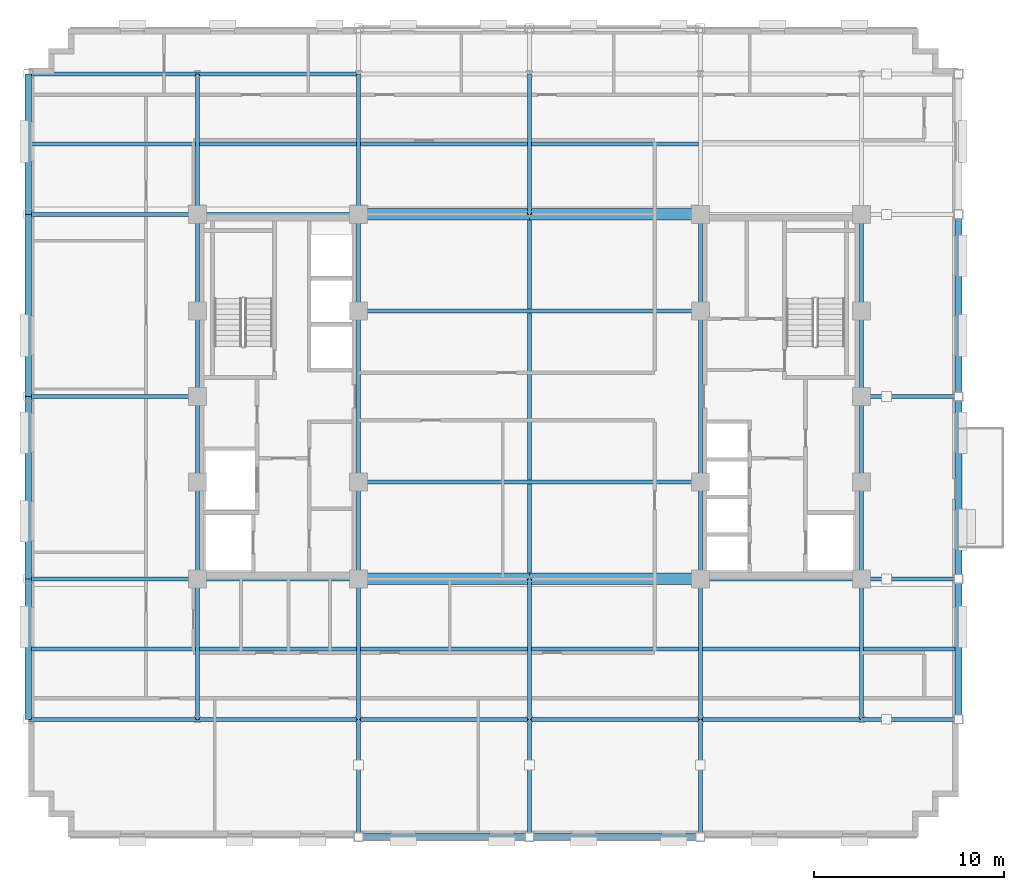
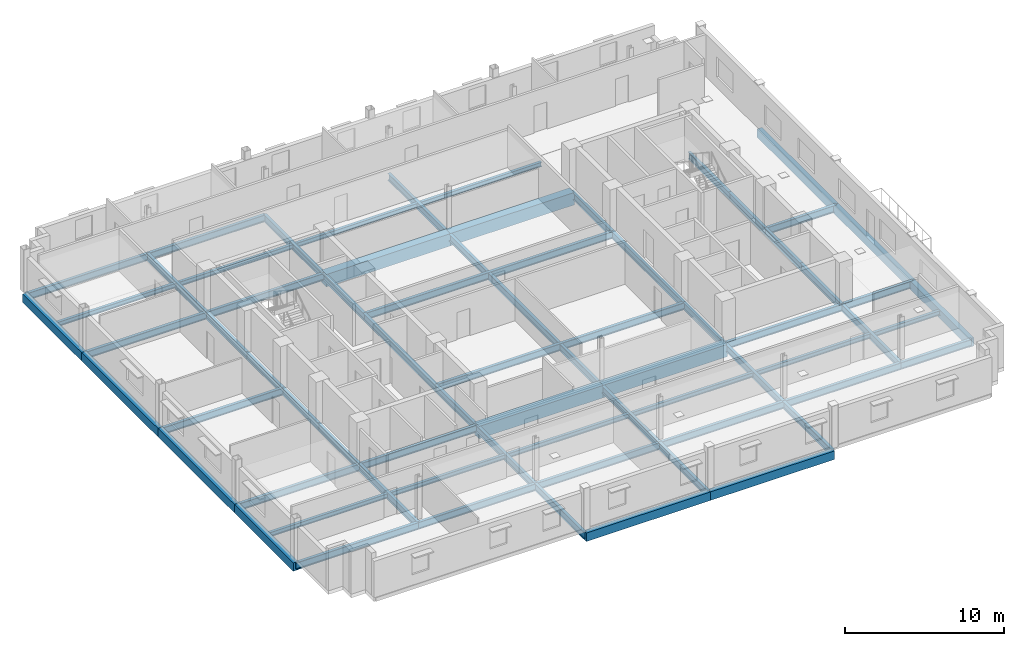
# One storey, part 5 of 15: 67 beams.
"""IFC4 building model written with IfcOpenShell, lengths in metres."""

from ifc_helpers import new_model, si_unit, direction, frame, origin, origin_2d, place, context, subcontext, project, spatial, rectangle, i_section, extrude, material, material_profile, profile_set, type_object, element, save


model = new_model("IFC4")

# Units and contexts
model_context = context("Model", 3, precision=1e-05, world=origin(), true_north=direction((0.0, 1.0)))
body_context = subcontext(model_context, "Body", "Model", "MODEL_VIEW")
ifc_project = project(units=[si_unit("LENGTHUNIT", "METRE"), si_unit("AREAUNIT", "SQUARE_METRE"), si_unit("VOLUMEUNIT", "CUBIC_METRE"), si_unit("PLANEANGLEUNIT", "RADIAN"), si_unit("MASSUNIT", "GRAM", prefix="KILO")], contexts=[model_context])

# Site, building, storey
site_placement = place(None, origin())
site = spatial("IfcSite", under=ifc_project, at=site_placement, CompositionType="ELEMENT")
building_placement = place(site_placement, origin())
building = spatial("IfcBuilding", under=site, at=building_placement, Name="Nuvemarco Arch Tower", CompositionType="ELEMENT")
storey_placement = place(building_placement, frame((0.0, 0.0, 205.5)))
storey = spatial("IfcBuildingStorey", under=building, at=storey_placement, Name="L54", CompositionType="ELEMENT", Elevation=205.5)

# Beams
ifc_material_1 = material(Name="Concrete C60/75", Category="concrete")
ifc_material_profile_1 = material_profile(ifc_material_1, rectangle(XDim=0.60009765625, YDim=0.949951171875, at=origin_2d()), Name="RC-BM-600x950")
ifc_profile_set_1 = profile_set([ifc_material_profile_1], Name="Concrete C60/75")
beam_type_1 = type_object("IfcBeamType", Name="BM-COUP-RC", PredefinedType="LINTEL", material=ifc_profile_set_1)
for number, where, z_axis, x_axis, name in (
    (1, (-9.0, -9.60009765625, -0.7548828125), (1.0, 0.0, 0.0), (0.0, 1.0, 0.0), "L54 structural beam BGEW_L54_0_-9.6_-9.0"),
    (2, (0.0, -9.60009765625, -0.7548828125), (1.0, 0.0, 0.0), (0.0, 1.0, 0.0), "L54 structural beam BGEW_L54_0_-9.6_+0.0"),
    (3, (-9.0, 9.60009765625, -0.7548828125), (1.0, 0.0, 0.0), (0.0, 1.0, 0.0), "L54 structural beam BGEW_L54_0_+9.6_-9.0"),
    (4, (0.0, 9.60009765625, -0.7548828125), (1.0, 0.0, 0.0), (0.0, 1.0, 0.0), "L54 structural beam BGEW_L54_0_+9.6_+0.0"),
):
    element("IfcBeam", number, at=place(storey_placement, frame(where, z_axis=z_axis, x_axis=x_axis)), inside=storey, type_object=beam_type_1, Name=name, PredefinedType="LINTEL", context=body_context, shape_type="SweptSolid", body=[
        extrude(rectangle(XDim=0.60009765625, YDim=0.949951171875, at=origin_2d()), origin(), (0.0, 0.0, 1.0), 9.0),
    ])
ifc_material_2 = material(Name="Steel S355", Category="steel")
ifc_material_profile_2 = material_profile(ifc_material_2, i_section(OverallWidth=0.2109375, OverallDepth=0.5390625, WebThickness=0.01171875, FlangeThickness=0.018798828125, FilletRadius=0.01611328125, at=origin_2d()), Name="W530x109")
ifc_profile_set_2 = profile_set([ifc_material_profile_2], Name="Steel S355")
beam_type_2 = type_object("IfcBeamType", Name="BM-GIRD-530", PredefinedType="BEAM", material=ifc_profile_set_2)
beam_1_placement = place(storey_placement, frame((-17.5, -17.0, -0.549560546875), z_axis=(0.0, 1.0, 0.0), x_axis=(-1.0, 0.0, 0.0)))
element("IfcBeam", 5, at=beam_1_placement, inside=storey, type_object=beam_type_2, Name="L54 structural beam BGNS_L54_0_-17.5_-17.0", PredefinedType="BEAM", context=body_context, shape_type="SweptSolid", body=[
    extrude(i_section(OverallWidth=0.2109375, OverallDepth=0.5390625, WebThickness=0.01171875, FlangeThickness=0.018798828125, FilletRadius=0.01611328125, at=origin_2d()), origin(), (0.0, 0.0, 1.0), 7.39990234375),
])
beam_2_placement = place(storey_placement, frame((-17.5, -9.60009765625, -0.549560546875), z_axis=(0.0, 1.0, 0.0), x_axis=(-1.0, 0.0, 0.0)))
element("IfcBeam", 6, at=beam_2_placement, inside=storey, type_object=beam_type_2, Name="L54 structural beam BGNS_L54_0_-17.5_-9.6", PredefinedType="BEAM", context=body_context, shape_type="SweptSolid", body=[
    extrude(i_section(OverallWidth=0.2109375, OverallDepth=0.5390625, WebThickness=0.01171875, FlangeThickness=0.018798828125, FilletRadius=0.01611328125, at=origin_2d()), origin(), (0.0, 0.0, 1.0), 5.10009765625),
])
for number, where, z_axis, x_axis, name in (
    (7, (-17.5, -4.5, -0.549560546875), (0.0, 1.0, 0.0), (-1.0, 0.0, 0.0), "L54 structural beam BGNS_L54_0_-17.5_-4.5"),
    (8, (-17.5, 0.0, -0.549560546875), (0.0, 1.0, 0.0), (-1.0, 0.0, 0.0), "L54 structural beam BGNS_L54_0_-17.5_+0.0"),
):
    element("IfcBeam", number, at=place(storey_placement, frame(where, z_axis=z_axis, x_axis=x_axis)), inside=storey, type_object=beam_type_2, Name=name, PredefinedType="BEAM", context=body_context, shape_type="SweptSolid", body=[
        extrude(i_section(OverallWidth=0.2109375, OverallDepth=0.5390625, WebThickness=0.01171875, FlangeThickness=0.018798828125, FilletRadius=0.01611328125, at=origin_2d()), origin(), (0.0, 0.0, 1.0), 4.5),
    ])
beam_3_placement = place(storey_placement, frame((-17.5, 4.5, -0.549560546875), z_axis=(0.0, 1.0, 0.0), x_axis=(-1.0, 0.0, 0.0)))
element("IfcBeam", 9, at=beam_3_placement, inside=storey, type_object=beam_type_2, Name="L54 structural beam BGNS_L54_0_-17.5_+4.5", PredefinedType="BEAM", context=body_context, shape_type="SweptSolid", body=[
    extrude(i_section(OverallWidth=0.2109375, OverallDepth=0.5390625, WebThickness=0.01171875, FlangeThickness=0.018798828125, FilletRadius=0.01611328125, at=origin_2d()), origin(), (0.0, 0.0, 1.0), 5.10009765625),
])
beam_4_placement = place(storey_placement, frame((-17.5, 9.60009765625, -0.549560546875), z_axis=(0.0, 1.0, 0.0), x_axis=(-1.0, 0.0, 0.0)))
element("IfcBeam", 10, at=beam_4_placement, inside=storey, type_object=beam_type_2, Name="L54 structural beam BGNS_L54_0_-17.5_+9.6", PredefinedType="BEAM", context=body_context, shape_type="SweptSolid", body=[
    extrude(i_section(OverallWidth=0.2109375, OverallDepth=0.5390625, WebThickness=0.01171875, FlangeThickness=0.018798828125, FilletRadius=0.01611328125, at=origin_2d()), origin(), (0.0, 0.0, 1.0), 7.39990234375),
])
beam_5_placement = place(storey_placement, frame((-9.0, -23.199951171875, -0.549560546875), z_axis=(0.0, 1.0, 0.0), x_axis=(-1.0, 0.0, 0.0)))
element("IfcBeam", 11, at=beam_5_placement, inside=storey, type_object=beam_type_2, Name="L54 structural beam BGNS_L54_0_-9.0_-23.2", PredefinedType="BEAM", context=body_context, shape_type="SweptSolid", body=[
    extrude(i_section(OverallWidth=0.2109375, OverallDepth=0.5390625, WebThickness=0.01171875, FlangeThickness=0.018798828125, FilletRadius=0.01611328125, at=origin_2d()), origin(), (0.0, 0.0, 1.0), 6.199951171875),
])
beam_6_placement = place(storey_placement, frame((-9.0, -17.0, -0.549560546875), z_axis=(0.0, 1.0, 0.0), x_axis=(-1.0, 0.0, 0.0)))
element("IfcBeam", 12, at=beam_6_placement, inside=storey, type_object=beam_type_2, Name="L54 structural beam BGNS_L54_0_-9.0_-17.0", PredefinedType="BEAM", context=body_context, shape_type="SweptSolid", body=[
    extrude(i_section(OverallWidth=0.2109375, OverallDepth=0.5390625, WebThickness=0.01171875, FlangeThickness=0.018798828125, FilletRadius=0.01611328125, at=origin_2d()), origin(), (0.0, 0.0, 1.0), 7.39990234375),
])
beam_7_placement = place(storey_placement, frame((-9.0, -9.60009765625, -0.549560546875), z_axis=(0.0, 1.0, 0.0), x_axis=(-1.0, 0.0, 0.0)))
element("IfcBeam", 13, at=beam_7_placement, inside=storey, type_object=beam_type_2, Name="L54 structural beam BGNS_L54_0_-9.0_-9.6", PredefinedType="BEAM", context=body_context, shape_type="SweptSolid", body=[
    extrude(i_section(OverallWidth=0.2109375, OverallDepth=0.5390625, WebThickness=0.01171875, FlangeThickness=0.018798828125, FilletRadius=0.01611328125, at=origin_2d()), origin(), (0.0, 0.0, 1.0), 5.10009765625),
])
beam_8_placement = place(storey_placement, frame((-9.0, -4.5, -0.549560546875), z_axis=(0.0, 1.0, 0.0), x_axis=(-1.0, 0.0, 0.0)))
element("IfcBeam", 14, at=beam_8_placement, inside=storey, type_object=beam_type_2, Name="L54 structural beam BGNS_L54_0_-9.0_-4.5", PredefinedType="BEAM", context=body_context, shape_type="SweptSolid", body=[
    extrude(i_section(OverallWidth=0.2109375, OverallDepth=0.5390625, WebThickness=0.01171875, FlangeThickness=0.018798828125, FilletRadius=0.01611328125, at=origin_2d()), origin(), (0.0, 0.0, 1.0), 9.0),
])
beam_9_placement = place(storey_placement, frame((-9.0, 4.5, -0.549560546875), z_axis=(0.0, 1.0, 0.0), x_axis=(-1.0, 0.0, 0.0)))
element("IfcBeam", 15, at=beam_9_placement, inside=storey, type_object=beam_type_2, Name="L54 structural beam BGNS_L54_0_-9.0_+4.5", PredefinedType="BEAM", context=body_context, shape_type="SweptSolid", body=[
    extrude(i_section(OverallWidth=0.2109375, OverallDepth=0.5390625, WebThickness=0.01171875, FlangeThickness=0.018798828125, FilletRadius=0.01611328125, at=origin_2d()), origin(), (0.0, 0.0, 1.0), 5.10009765625),
])
beam_10_placement = place(storey_placement, frame((-9.0, 9.60009765625, -0.549560546875), z_axis=(0.0, 1.0, 0.0), x_axis=(-1.0, 0.0, 0.0)))
element("IfcBeam", 16, at=beam_10_placement, inside=storey, type_object=beam_type_2, Name="L54 structural beam BGNS_L54_0_-9.0_+9.6", PredefinedType="BEAM", context=body_context, shape_type="SweptSolid", body=[
    extrude(i_section(OverallWidth=0.2109375, OverallDepth=0.5390625, WebThickness=0.01171875, FlangeThickness=0.018798828125, FilletRadius=0.01611328125, at=origin_2d()), origin(), (0.0, 0.0, 1.0), 7.39990234375),
])
beam_11_placement = place(storey_placement, frame((0.0, -23.199951171875, -0.549560546875), z_axis=(0.0, 1.0, 0.0), x_axis=(-1.0, 0.0, 0.0)))
element("IfcBeam", 17, at=beam_11_placement, inside=storey, type_object=beam_type_2, Name="L54 structural beam BGNS_L54_0_+0.0_-23.2", PredefinedType="BEAM", context=body_context, shape_type="SweptSolid", body=[
    extrude(i_section(OverallWidth=0.2109375, OverallDepth=0.5390625, WebThickness=0.01171875, FlangeThickness=0.018798828125, FilletRadius=0.01611328125, at=origin_2d()), origin(), (0.0, 0.0, 1.0), 6.199951171875),
])
beam_12_placement = place(storey_placement, frame((0.0, -17.0, -0.549560546875), z_axis=(0.0, 1.0, 0.0), x_axis=(-1.0, 0.0, 0.0)))
element("IfcBeam", 18, at=beam_12_placement, inside=storey, type_object=beam_type_2, Name="L54 structural beam BGNS_L54_0_+0.0_-17.0", PredefinedType="BEAM", context=body_context, shape_type="SweptSolid", body=[
    extrude(i_section(OverallWidth=0.2109375, OverallDepth=0.5390625, WebThickness=0.01171875, FlangeThickness=0.018798828125, FilletRadius=0.01611328125, at=origin_2d()), origin(), (0.0, 0.0, 1.0), 7.39990234375),
])
beam_13_placement = place(storey_placement, frame((0.0, -9.60009765625, -0.549560546875), z_axis=(0.0, 1.0, 0.0), x_axis=(-1.0, 0.0, 0.0)))
element("IfcBeam", 19, at=beam_13_placement, inside=storey, type_object=beam_type_2, Name="L54 structural beam BGNS_L54_0_+0.0_-9.6", PredefinedType="BEAM", context=body_context, shape_type="SweptSolid", body=[
    extrude(i_section(OverallWidth=0.2109375, OverallDepth=0.5390625, WebThickness=0.01171875, FlangeThickness=0.018798828125, FilletRadius=0.01611328125, at=origin_2d()), origin(), (0.0, 0.0, 1.0), 19.2001953125),
])
beam_14_placement = place(storey_placement, frame((0.0, 9.60009765625, -0.549560546875), z_axis=(0.0, 1.0, 0.0), x_axis=(-1.0, 0.0, 0.0)))
element("IfcBeam", 20, at=beam_14_placement, inside=storey, type_object=beam_type_2, Name="L54 structural beam BGNS_L54_0_+0.0_+9.6", PredefinedType="BEAM", context=body_context, shape_type="SweptSolid", body=[
    extrude(i_section(OverallWidth=0.2109375, OverallDepth=0.5390625, WebThickness=0.01171875, FlangeThickness=0.018798828125, FilletRadius=0.01611328125, at=origin_2d()), origin(), (0.0, 0.0, 1.0), 7.39990234375),
])
beam_15_placement = place(storey_placement, frame((9.0, -23.199951171875, -0.549560546875), z_axis=(0.0, 1.0, 0.0), x_axis=(-1.0, 0.0, 0.0)))
element("IfcBeam", 21, at=beam_15_placement, inside=storey, type_object=beam_type_2, Name="L54 structural beam BGNS_L54_0_+9.0_-23.2", PredefinedType="BEAM", context=body_context, shape_type="SweptSolid", body=[
    extrude(i_section(OverallWidth=0.2109375, OverallDepth=0.5390625, WebThickness=0.01171875, FlangeThickness=0.018798828125, FilletRadius=0.01611328125, at=origin_2d()), origin(), (0.0, 0.0, 1.0), 6.199951171875),
])
beam_16_placement = place(storey_placement, frame((9.0, -17.0, -0.549560546875), z_axis=(0.0, 1.0, 0.0), x_axis=(-1.0, 0.0, 0.0)))
element("IfcBeam", 22, at=beam_16_placement, inside=storey, type_object=beam_type_2, Name="L54 structural beam BGNS_L54_0_+9.0_-17.0", PredefinedType="BEAM", context=body_context, shape_type="SweptSolid", body=[
    extrude(i_section(OverallWidth=0.2109375, OverallDepth=0.5390625, WebThickness=0.01171875, FlangeThickness=0.018798828125, FilletRadius=0.01611328125, at=origin_2d()), origin(), (0.0, 0.0, 1.0), 7.39990234375),
])
beam_17_placement = place(storey_placement, frame((9.0, -9.60009765625, -0.549560546875), z_axis=(0.0, 1.0, 0.0), x_axis=(-1.0, 0.0, 0.0)))
element("IfcBeam", 23, at=beam_17_placement, inside=storey, type_object=beam_type_2, Name="L54 structural beam BGNS_L54_0_+9.0_-9.6", PredefinedType="BEAM", context=body_context, shape_type="SweptSolid", body=[
    extrude(i_section(OverallWidth=0.2109375, OverallDepth=0.5390625, WebThickness=0.01171875, FlangeThickness=0.018798828125, FilletRadius=0.01611328125, at=origin_2d()), origin(), (0.0, 0.0, 1.0), 5.10009765625),
])
beam_18_placement = place(storey_placement, frame((9.0, -4.5, -0.549560546875), z_axis=(0.0, 1.0, 0.0), x_axis=(-1.0, 0.0, 0.0)))
element("IfcBeam", 24, at=beam_18_placement, inside=storey, type_object=beam_type_2, Name="L54 structural beam BGNS_L54_0_+9.0_-4.5", PredefinedType="BEAM", context=body_context, shape_type="SweptSolid", body=[
    extrude(i_section(OverallWidth=0.2109375, OverallDepth=0.5390625, WebThickness=0.01171875, FlangeThickness=0.018798828125, FilletRadius=0.01611328125, at=origin_2d()), origin(), (0.0, 0.0, 1.0), 9.0),
])
beam_19_placement = place(storey_placement, frame((9.0, 4.5, -0.549560546875), z_axis=(0.0, 1.0, 0.0), x_axis=(-1.0, 0.0, 0.0)))
element("IfcBeam", 25, at=beam_19_placement, inside=storey, type_object=beam_type_2, Name="L54 structural beam BGNS_L54_0_+9.0_+4.5", PredefinedType="BEAM", context=body_context, shape_type="SweptSolid", body=[
    extrude(i_section(OverallWidth=0.2109375, OverallDepth=0.5390625, WebThickness=0.01171875, FlangeThickness=0.018798828125, FilletRadius=0.01611328125, at=origin_2d()), origin(), (0.0, 0.0, 1.0), 5.10009765625),
])
beam_20_placement = place(storey_placement, frame((17.5, -17.0, -0.549560546875), z_axis=(0.0, 1.0, 0.0), x_axis=(-1.0, 0.0, 0.0)))
element("IfcBeam", 26, at=beam_20_placement, inside=storey, type_object=beam_type_2, Name="L54 structural beam BGNS_L54_0_+17.5_-17.0", PredefinedType="BEAM", context=body_context, shape_type="SweptSolid", body=[
    extrude(i_section(OverallWidth=0.2109375, OverallDepth=0.5390625, WebThickness=0.01171875, FlangeThickness=0.018798828125, FilletRadius=0.01611328125, at=origin_2d()), origin(), (0.0, 0.0, 1.0), 7.39990234375),
])
beam_21_placement = place(storey_placement, frame((17.5, -9.60009765625, -0.549560546875), z_axis=(0.0, 1.0, 0.0), x_axis=(-1.0, 0.0, 0.0)))
element("IfcBeam", 27, at=beam_21_placement, inside=storey, type_object=beam_type_2, Name="L54 structural beam BGNS_L54_0_+17.5_-9.6", PredefinedType="BEAM", context=body_context, shape_type="SweptSolid", body=[
    extrude(i_section(OverallWidth=0.2109375, OverallDepth=0.5390625, WebThickness=0.01171875, FlangeThickness=0.018798828125, FilletRadius=0.01611328125, at=origin_2d()), origin(), (0.0, 0.0, 1.0), 5.10009765625),
])
for number, where, z_axis, x_axis, name in (
    (28, (17.5, -4.5, -0.549560546875), (0.0, 1.0, 0.0), (-1.0, 0.0, 0.0), "L54 structural beam BGNS_L54_0_+17.5_-4.5"),
    (29, (17.5, 0.0, -0.549560546875), (0.0, 1.0, 0.0), (-1.0, 0.0, 0.0), "L54 structural beam BGNS_L54_0_+17.5_+0.0"),
):
    element("IfcBeam", number, at=place(storey_placement, frame(where, z_axis=z_axis, x_axis=x_axis)), inside=storey, type_object=beam_type_2, Name=name, PredefinedType="BEAM", context=body_context, shape_type="SweptSolid", body=[
        extrude(i_section(OverallWidth=0.2109375, OverallDepth=0.5390625, WebThickness=0.01171875, FlangeThickness=0.018798828125, FilletRadius=0.01611328125, at=origin_2d()), origin(), (0.0, 0.0, 1.0), 4.5),
    ])
beam_22_placement = place(storey_placement, frame((17.5, 4.5, -0.549560546875), z_axis=(0.0, 1.0, 0.0), x_axis=(-1.0, 0.0, 0.0)))
element("IfcBeam", 30, at=beam_22_placement, inside=storey, type_object=beam_type_2, Name="L54 structural beam BGNS_L54_0_+17.5_+4.5", PredefinedType="BEAM", context=body_context, shape_type="SweptSolid", body=[
    extrude(i_section(OverallWidth=0.2109375, OverallDepth=0.5390625, WebThickness=0.01171875, FlangeThickness=0.018798828125, FilletRadius=0.01611328125, at=origin_2d()), origin(), (0.0, 0.0, 1.0), 5.10009765625),
])
beam_23_placement = place(storey_placement, frame((-26.39990234375, -17.0, -0.549560546875), z_axis=(1.0, 0.0, 0.0), x_axis=(0.0, 1.0, 0.0)))
element("IfcBeam", 31, at=beam_23_placement, inside=storey, type_object=beam_type_2, Name="L54 structural beam BGEW_L54_0_-17.0_-26.4", PredefinedType="BEAM", context=body_context, shape_type="SweptSolid", body=[
    extrude(i_section(OverallWidth=0.2109375, OverallDepth=0.5390625, WebThickness=0.01171875, FlangeThickness=0.018798828125, FilletRadius=0.01611328125, at=origin_2d()), origin(), (0.0, 0.0, 1.0), 8.89990234375),
])
beam_24_placement = place(storey_placement, frame((-17.5, -17.0, -0.549560546875), z_axis=(1.0, 0.0, 0.0), x_axis=(0.0, 1.0, 0.0)))
element("IfcBeam", 32, at=beam_24_placement, inside=storey, type_object=beam_type_2, Name="L54 structural beam BGEW_L54_0_-17.0_-17.5", PredefinedType="BEAM", context=body_context, shape_type="SweptSolid", body=[
    extrude(i_section(OverallWidth=0.2109375, OverallDepth=0.5390625, WebThickness=0.01171875, FlangeThickness=0.018798828125, FilletRadius=0.01611328125, at=origin_2d()), origin(), (0.0, 0.0, 1.0), 8.5),
])
for number, where, z_axis, x_axis, name in (
    (33, (-9.0, -17.0, -0.549560546875), (1.0, 0.0, 0.0), (0.0, 1.0, 0.0), "L54 structural beam BGEW_L54_0_-17.0_-9.0"),
    (34, (0.0, -17.0, -0.549560546875), (1.0, 0.0, 0.0), (0.0, 1.0, 0.0), "L54 structural beam BGEW_L54_0_-17.0_+0.0"),
):
    element("IfcBeam", number, at=place(storey_placement, frame(where, z_axis=z_axis, x_axis=x_axis)), inside=storey, type_object=beam_type_2, Name=name, PredefinedType="BEAM", context=body_context, shape_type="SweptSolid", body=[
        extrude(i_section(OverallWidth=0.2109375, OverallDepth=0.5390625, WebThickness=0.01171875, FlangeThickness=0.018798828125, FilletRadius=0.01611328125, at=origin_2d()), origin(), (0.0, 0.0, 1.0), 9.0),
    ])
beam_25_placement = place(storey_placement, frame((9.0, -17.0, -0.549560546875), z_axis=(1.0, 0.0, 0.0), x_axis=(0.0, 1.0, 0.0)))
element("IfcBeam", 35, at=beam_25_placement, inside=storey, type_object=beam_type_2, Name="L54 structural beam BGEW_L54_0_-17.0_+9.0", PredefinedType="BEAM", context=body_context, shape_type="SweptSolid", body=[
    extrude(i_section(OverallWidth=0.2109375, OverallDepth=0.5390625, WebThickness=0.01171875, FlangeThickness=0.018798828125, FilletRadius=0.01611328125, at=origin_2d()), origin(), (0.0, 0.0, 1.0), 8.5),
])
beam_26_placement = place(storey_placement, frame((17.5, -17.0, -0.549560546875), z_axis=(1.0, 0.0, 0.0), x_axis=(0.0, 1.0, 0.0)))
element("IfcBeam", 36, at=beam_26_placement, inside=storey, type_object=beam_type_2, Name="L54 structural beam BGEW_L54_0_-17.0_+17.5", PredefinedType="BEAM", context=body_context, shape_type="SweptSolid", body=[
    extrude(i_section(OverallWidth=0.2109375, OverallDepth=0.5390625, WebThickness=0.01171875, FlangeThickness=0.018798828125, FilletRadius=0.01611328125, at=origin_2d()), origin(), (0.0, 0.0, 1.0), 5.10009765625),
])
beam_27_placement = place(storey_placement, frame((-26.39990234375, -9.60009765625, -0.549560546875), z_axis=(1.0, 0.0, 0.0), x_axis=(0.0, 1.0, 0.0)))
element("IfcBeam", 37, at=beam_27_placement, inside=storey, type_object=beam_type_2, Name="L54 structural beam BGEW_L54_0_-9.6_-26.4", PredefinedType="BEAM", context=body_context, shape_type="SweptSolid", body=[
    extrude(i_section(OverallWidth=0.2109375, OverallDepth=0.5390625, WebThickness=0.01171875, FlangeThickness=0.018798828125, FilletRadius=0.01611328125, at=origin_2d()), origin(), (0.0, 0.0, 1.0), 8.89990234375),
])
for number, where, z_axis, x_axis, name in (
    (38, (-17.5, -9.60009765625, -0.549560546875), (1.0, 0.0, 0.0), (0.0, 1.0, 0.0), "L54 structural beam BGEW_L54_0_-9.6_-17.5"),
    (39, (9.0, -9.60009765625, -0.549560546875), (1.0, 0.0, 0.0), (0.0, 1.0, 0.0), "L54 structural beam BGEW_L54_0_-9.6_+9.0"),
):
    element("IfcBeam", number, at=place(storey_placement, frame(where, z_axis=z_axis, x_axis=x_axis)), inside=storey, type_object=beam_type_2, Name=name, PredefinedType="BEAM", context=body_context, shape_type="SweptSolid", body=[
        extrude(i_section(OverallWidth=0.2109375, OverallDepth=0.5390625, WebThickness=0.01171875, FlangeThickness=0.018798828125, FilletRadius=0.01611328125, at=origin_2d()), origin(), (0.0, 0.0, 1.0), 8.5),
    ])
beam_28_placement = place(storey_placement, frame((17.5, -9.60009765625, -0.549560546875), z_axis=(1.0, 0.0, 0.0), x_axis=(0.0, 1.0, 0.0)))
element("IfcBeam", 40, at=beam_28_placement, inside=storey, type_object=beam_type_2, Name="L54 structural beam BGEW_L54_0_-9.6_+17.5", PredefinedType="BEAM", context=body_context, shape_type="SweptSolid", body=[
    extrude(i_section(OverallWidth=0.2109375, OverallDepth=0.5390625, WebThickness=0.01171875, FlangeThickness=0.018798828125, FilletRadius=0.01611328125, at=origin_2d()), origin(), (0.0, 0.0, 1.0), 5.10009765625),
])
beam_29_placement = place(storey_placement, frame((-9.0, -4.5, -0.549560546875), z_axis=(1.0, 0.0, 0.0), x_axis=(0.0, 1.0, 0.0)))
element("IfcBeam", 41, at=beam_29_placement, inside=storey, type_object=beam_type_2, Name="L54 structural beam BGEW_L54_0_-4.5_-9.0", PredefinedType="BEAM", context=body_context, shape_type="SweptSolid", body=[
    extrude(i_section(OverallWidth=0.2109375, OverallDepth=0.5390625, WebThickness=0.01171875, FlangeThickness=0.018798828125, FilletRadius=0.01611328125, at=origin_2d()), origin(), (0.0, 0.0, 1.0), 18.0),
])
beam_30_placement = place(storey_placement, frame((-26.39990234375, 0.0, -0.549560546875), z_axis=(1.0, 0.0, 0.0), x_axis=(0.0, 1.0, 0.0)))
element("IfcBeam", 42, at=beam_30_placement, inside=storey, type_object=beam_type_2, Name="L54 structural beam BGEW_L54_0_+0.0_-26.4", PredefinedType="BEAM", context=body_context, shape_type="SweptSolid", body=[
    extrude(i_section(OverallWidth=0.2109375, OverallDepth=0.5390625, WebThickness=0.01171875, FlangeThickness=0.018798828125, FilletRadius=0.01611328125, at=origin_2d()), origin(), (0.0, 0.0, 1.0), 8.89990234375),
])
beam_31_placement = place(storey_placement, frame((17.5, 0.0, -0.549560546875), z_axis=(1.0, 0.0, 0.0), x_axis=(0.0, 1.0, 0.0)))
element("IfcBeam", 43, at=beam_31_placement, inside=storey, type_object=beam_type_2, Name="L54 structural beam BGEW_L54_0_+0.0_+17.5", PredefinedType="BEAM", context=body_context, shape_type="SweptSolid", body=[
    extrude(i_section(OverallWidth=0.2109375, OverallDepth=0.5390625, WebThickness=0.01171875, FlangeThickness=0.018798828125, FilletRadius=0.01611328125, at=origin_2d()), origin(), (0.0, 0.0, 1.0), 5.10009765625),
])
beam_32_placement = place(storey_placement, frame((-9.0, 4.5, -0.549560546875), z_axis=(1.0, 0.0, 0.0), x_axis=(0.0, 1.0, 0.0)))
element("IfcBeam", 44, at=beam_32_placement, inside=storey, type_object=beam_type_2, Name="L54 structural beam BGEW_L54_0_+4.5_-9.0", PredefinedType="BEAM", context=body_context, shape_type="SweptSolid", body=[
    extrude(i_section(OverallWidth=0.2109375, OverallDepth=0.5390625, WebThickness=0.01171875, FlangeThickness=0.018798828125, FilletRadius=0.01611328125, at=origin_2d()), origin(), (0.0, 0.0, 1.0), 18.0),
])
beam_33_placement = place(storey_placement, frame((-26.39990234375, 9.60009765625, -0.549560546875), z_axis=(1.0, 0.0, 0.0), x_axis=(0.0, 1.0, 0.0)))
element("IfcBeam", 45, at=beam_33_placement, inside=storey, type_object=beam_type_2, Name="L54 structural beam BGEW_L54_0_+9.6_-26.4", PredefinedType="BEAM", context=body_context, shape_type="SweptSolid", body=[
    extrude(i_section(OverallWidth=0.2109375, OverallDepth=0.5390625, WebThickness=0.01171875, FlangeThickness=0.018798828125, FilletRadius=0.01611328125, at=origin_2d()), origin(), (0.0, 0.0, 1.0), 8.89990234375),
])
beam_34_placement = place(storey_placement, frame((-17.5, 9.60009765625, -0.549560546875), z_axis=(1.0, 0.0, 0.0), x_axis=(0.0, 1.0, 0.0)))
element("IfcBeam", 46, at=beam_34_placement, inside=storey, type_object=beam_type_2, Name="L54 structural beam BGEW_L54_0_+9.6_-17.5", PredefinedType="BEAM", context=body_context, shape_type="SweptSolid", body=[
    extrude(i_section(OverallWidth=0.2109375, OverallDepth=0.5390625, WebThickness=0.01171875, FlangeThickness=0.018798828125, FilletRadius=0.01611328125, at=origin_2d()), origin(), (0.0, 0.0, 1.0), 8.5),
])
beam_35_placement = place(storey_placement, frame((-26.39990234375, 17.0, -0.549560546875), z_axis=(1.0, 0.0, 0.0), x_axis=(0.0, 1.0, 0.0)))
element("IfcBeam", 47, at=beam_35_placement, inside=storey, type_object=beam_type_2, Name="L54 structural beam BGEW_L54_0_+17.0_-26.4", PredefinedType="BEAM", context=body_context, shape_type="SweptSolid", body=[
    extrude(i_section(OverallWidth=0.2109375, OverallDepth=0.5390625, WebThickness=0.01171875, FlangeThickness=0.018798828125, FilletRadius=0.01611328125, at=origin_2d()), origin(), (0.0, 0.0, 1.0), 8.89990234375),
])
beam_36_placement = place(storey_placement, frame((-17.5, 17.0, -0.549560546875), z_axis=(1.0, 0.0, 0.0), x_axis=(0.0, 1.0, 0.0)))
element("IfcBeam", 48, at=beam_36_placement, inside=storey, type_object=beam_type_2, Name="L54 structural beam BGEW_L54_0_+17.0_-17.5", PredefinedType="BEAM", context=body_context, shape_type="SweptSolid", body=[
    extrude(i_section(OverallWidth=0.2109375, OverallDepth=0.5390625, WebThickness=0.01171875, FlangeThickness=0.018798828125, FilletRadius=0.01611328125, at=origin_2d()), origin(), (0.0, 0.0, 1.0), 8.5),
])
ifc_material_profile_3 = material_profile(ifc_material_2, i_section(OverallWidth=0.202880859375, OverallDepth=0.346923828125, WebThickness=0.0078125, FlangeThickness=0.013427734375, FilletRadius=0.014892578125, at=origin_2d()), Name="W360x64")
ifc_profile_set_3 = profile_set([ifc_material_profile_3], Name="Steel S355")
beam_type_3 = type_object("IfcBeamType", Name="BM-JOIST-360", PredefinedType="JOIST", material=ifc_profile_set_3)
beam_37_placement = place(storey_placement, frame((-26.22509765625, -13.300048828125, -0.45361328125), z_axis=(1.0, 0.0, 0.0), x_axis=(0.0, 1.0, 0.0)))
element("IfcBeam", 49, at=beam_37_placement, inside=storey, type_object=beam_type_3, Name="L54 structural beam BJ_L54_0_-13.3_-26.4", PredefinedType="JOIST", context=body_context, shape_type="SweptSolid", body=[
    extrude(i_section(OverallWidth=0.202880859375, OverallDepth=0.346923828125, WebThickness=0.0078125, FlangeThickness=0.013427734375, FilletRadius=0.014892578125, at=origin_2d()), origin(), (0.0, 0.0, 1.0), 8.61962890625),
])
beam_38_placement = place(storey_placement, frame((-17.39453125, -13.300048828125, -0.45361328125), z_axis=(1.0, 0.0, 0.0), x_axis=(0.0, 1.0, 0.0)))
element("IfcBeam", 50, at=beam_38_placement, inside=storey, type_object=beam_type_3, Name="L54 structural beam BJ_L54_0_-13.3_-17.5", PredefinedType="JOIST", context=body_context, shape_type="SweptSolid", body=[
    extrude(i_section(OverallWidth=0.202880859375, OverallDepth=0.346923828125, WebThickness=0.0078125, FlangeThickness=0.013427734375, FilletRadius=0.014892578125, at=origin_2d()), origin(), (0.0, 0.0, 1.0), 8.2890625),
])
for number, where, z_axis, x_axis, name in (
    (51, (-8.89453125, -13.300048828125, -0.45361328125), (1.0, 0.0, 0.0), (0.0, 1.0, 0.0), "L54 structural beam BJ_L54_0_-13.3_-9.0"),
    (52, (0.10546875, -13.300048828125, -0.45361328125), (1.0, 0.0, 0.0), (0.0, 1.0, 0.0), "L54 structural beam BJ_L54_0_-13.3_+0.0"),
):
    element("IfcBeam", number, at=place(storey_placement, frame(where, z_axis=z_axis, x_axis=x_axis)), inside=storey, type_object=beam_type_3, Name=name, PredefinedType="JOIST", context=body_context, shape_type="SweptSolid", body=[
        extrude(i_section(OverallWidth=0.202880859375, OverallDepth=0.346923828125, WebThickness=0.0078125, FlangeThickness=0.013427734375, FilletRadius=0.014892578125, at=origin_2d()), origin(), (0.0, 0.0, 1.0), 8.7890625),
    ])
beam_39_placement = place(storey_placement, frame((9.10546875, -13.300048828125, -0.45361328125), z_axis=(1.0, 0.0, 0.0), x_axis=(0.0, 1.0, 0.0)))
element("IfcBeam", 53, at=beam_39_placement, inside=storey, type_object=beam_type_3, Name="L54 structural beam BJ_L54_0_-13.3_+9.0", PredefinedType="JOIST", context=body_context, shape_type="SweptSolid", body=[
    extrude(i_section(OverallWidth=0.202880859375, OverallDepth=0.346923828125, WebThickness=0.0078125, FlangeThickness=0.013427734375, FilletRadius=0.014892578125, at=origin_2d()), origin(), (0.0, 0.0, 1.0), 8.2890625),
])
beam_40_placement = place(storey_placement, frame((17.60546875, -13.300048828125, -0.45361328125), z_axis=(1.0, 0.0, 0.0), x_axis=(0.0, 1.0, 0.0)))
element("IfcBeam", 54, at=beam_40_placement, inside=storey, type_object=beam_type_3, Name="L54 structural beam BJ_L54_0_-13.3_+17.5", PredefinedType="JOIST", context=body_context, shape_type="SweptSolid", body=[
    extrude(i_section(OverallWidth=0.202880859375, OverallDepth=0.346923828125, WebThickness=0.0078125, FlangeThickness=0.013427734375, FilletRadius=0.014892578125, at=origin_2d()), origin(), (0.0, 0.0, 1.0), 4.819580078125),
])
beam_41_placement = place(storey_placement, frame((-26.22509765625, 13.300048828125, -0.45361328125), z_axis=(1.0, 0.0, 0.0), x_axis=(0.0, 1.0, 0.0)))
element("IfcBeam", 55, at=beam_41_placement, inside=storey, type_object=beam_type_3, Name="L54 structural beam BJ_L54_0_+13.3_-26.4", PredefinedType="JOIST", context=body_context, shape_type="SweptSolid", body=[
    extrude(i_section(OverallWidth=0.202880859375, OverallDepth=0.346923828125, WebThickness=0.0078125, FlangeThickness=0.013427734375, FilletRadius=0.014892578125, at=origin_2d()), origin(), (0.0, 0.0, 1.0), 8.61962890625),
])
beam_42_placement = place(storey_placement, frame((-17.39453125, 13.300048828125, -0.45361328125), z_axis=(1.0, 0.0, 0.0), x_axis=(0.0, 1.0, 0.0)))
element("IfcBeam", 56, at=beam_42_placement, inside=storey, type_object=beam_type_3, Name="L54 structural beam BJ_L54_0_+13.3_-17.5", PredefinedType="JOIST", context=body_context, shape_type="SweptSolid", body=[
    extrude(i_section(OverallWidth=0.202880859375, OverallDepth=0.346923828125, WebThickness=0.0078125, FlangeThickness=0.013427734375, FilletRadius=0.014892578125, at=origin_2d()), origin(), (0.0, 0.0, 1.0), 8.2890625),
])
for number, where, z_axis, x_axis, name in (
    (57, (-8.89453125, 13.300048828125, -0.45361328125), (1.0, 0.0, 0.0), (0.0, 1.0, 0.0), "L54 structural beam BJ_L54_0_+13.3_-9.0"),
    (58, (0.10546875, 13.300048828125, -0.45361328125), (1.0, 0.0, 0.0), (0.0, 1.0, 0.0), "L54 structural beam BJ_L54_0_+13.3_+0.0"),
):
    element("IfcBeam", number, at=place(storey_placement, frame(where, z_axis=z_axis, x_axis=x_axis)), inside=storey, type_object=beam_type_3, Name=name, PredefinedType="JOIST", context=body_context, shape_type="SweptSolid", body=[
        extrude(i_section(OverallWidth=0.202880859375, OverallDepth=0.346923828125, WebThickness=0.0078125, FlangeThickness=0.013427734375, FilletRadius=0.014892578125, at=origin_2d()), origin(), (0.0, 0.0, 1.0), 8.7890625),
    ])
ifc_material_3 = material(Name="Precast concrete C45/55", Category="concrete")
ifc_material_profile_4 = material_profile(ifc_material_3, rectangle(XDim=0.35009765625, YDim=0.64990234375, at=origin_2d()), Name="PC-SP-350x650")
ifc_profile_set_4 = profile_set([ifc_material_profile_4], Name="Precast concrete C45/55")
beam_type_4 = type_object("IfcBeamType", Name="BM-SPAN-RC", PredefinedType="SPANDREL", material=ifc_profile_set_4)
beam_43_placement = place(storey_placement, frame((-26.39990234375, -17.0, -0.60498046875), z_axis=(0.0, 1.0, 0.0), x_axis=(-1.0, 0.0, 0.0)))
element("IfcBeam", 59, at=beam_43_placement, inside=storey, type_object=beam_type_4, Name="L54 structural beam BGNS_L54_0_-26.4_-17.0", PredefinedType="SPANDREL", context=body_context, shape_type="SweptSolid", body=[
    extrude(rectangle(XDim=0.35009765625, YDim=0.64990234375, at=origin_2d()), origin(), (0.0, 0.0, 1.0), 7.39990234375),
])
for number, where, z_axis, x_axis, name in (
    (60, (-26.39990234375, -9.60009765625, -0.60498046875), (0.0, 1.0, 0.0), (-1.0, 0.0, 0.0), "L54 structural beam BGNS_L54_0_-26.4_-9.6"),
    (61, (-26.39990234375, 0.0, -0.60498046875), (0.0, 1.0, 0.0), (-1.0, 0.0, 0.0), "L54 structural beam BGNS_L54_0_-26.4_+0.0"),
):
    element("IfcBeam", number, at=place(storey_placement, frame(where, z_axis=z_axis, x_axis=x_axis)), inside=storey, type_object=beam_type_4, Name=name, PredefinedType="SPANDREL", context=body_context, shape_type="SweptSolid", body=[
        extrude(rectangle(XDim=0.35009765625, YDim=0.64990234375, at=origin_2d()), origin(), (0.0, 0.0, 1.0), 9.60009765625),
    ])
for number, where, z_axis, x_axis, name in (
    (62, (-26.39990234375, 9.60009765625, -0.60498046875), (0.0, 1.0, 0.0), (-1.0, 0.0, 0.0), "L54 structural beam BGNS_L54_0_-26.4_+9.6"),
    (63, (22.60009765625, -17.0, -0.60498046875), (0.0, 1.0, 0.0), (-1.0, 0.0, 0.0), "L54 structural beam BGNS_L54_0_+22.6_-17.0"),
):
    element("IfcBeam", number, at=place(storey_placement, frame(where, z_axis=z_axis, x_axis=x_axis)), inside=storey, type_object=beam_type_4, Name=name, PredefinedType="SPANDREL", context=body_context, shape_type="SweptSolid", body=[
        extrude(rectangle(XDim=0.35009765625, YDim=0.64990234375, at=origin_2d()), origin(), (0.0, 0.0, 1.0), 7.39990234375),
    ])
for number, where, z_axis, x_axis, name in (
    (64, (22.60009765625, -9.60009765625, -0.60498046875), (0.0, 1.0, 0.0), (-1.0, 0.0, 0.0), "L54 structural beam BGNS_L54_0_+22.6_-9.6"),
    (65, (22.60009765625, 0.0, -0.60498046875), (0.0, 1.0, 0.0), (-1.0, 0.0, 0.0), "L54 structural beam BGNS_L54_0_+22.6_+0.0"),
):
    element("IfcBeam", number, at=place(storey_placement, frame(where, z_axis=z_axis, x_axis=x_axis)), inside=storey, type_object=beam_type_4, Name=name, PredefinedType="SPANDREL", context=body_context, shape_type="SweptSolid", body=[
        extrude(rectangle(XDim=0.35009765625, YDim=0.64990234375, at=origin_2d()), origin(), (0.0, 0.0, 1.0), 9.60009765625),
    ])
for number, where, z_axis, x_axis, name in (
    (66, (-9.0, -23.199951171875, -0.60498046875), (1.0, 0.0, 0.0), (0.0, 1.0, 0.0), "L54 structural beam BGEW_L54_0_-23.2_-9.0"),
    (67, (0.0, -23.199951171875, -0.60498046875), (1.0, 0.0, 0.0), (0.0, 1.0, 0.0), "L54 structural beam BGEW_L54_0_-23.2_+0.0"),
):
    element("IfcBeam", number, at=place(storey_placement, frame(where, z_axis=z_axis, x_axis=x_axis)), inside=storey, type_object=beam_type_4, Name=name, PredefinedType="SPANDREL", context=body_context, shape_type="SweptSolid", body=[
        extrude(rectangle(XDim=0.35009765625, YDim=0.64990234375, at=origin_2d()), origin(), (0.0, 0.0, 1.0), 9.0),
    ])

save(model, "model.ifc")
